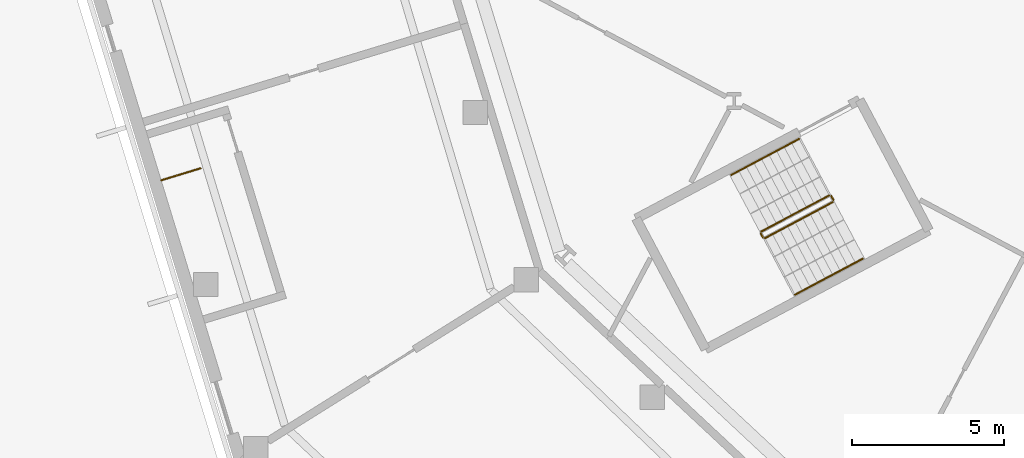
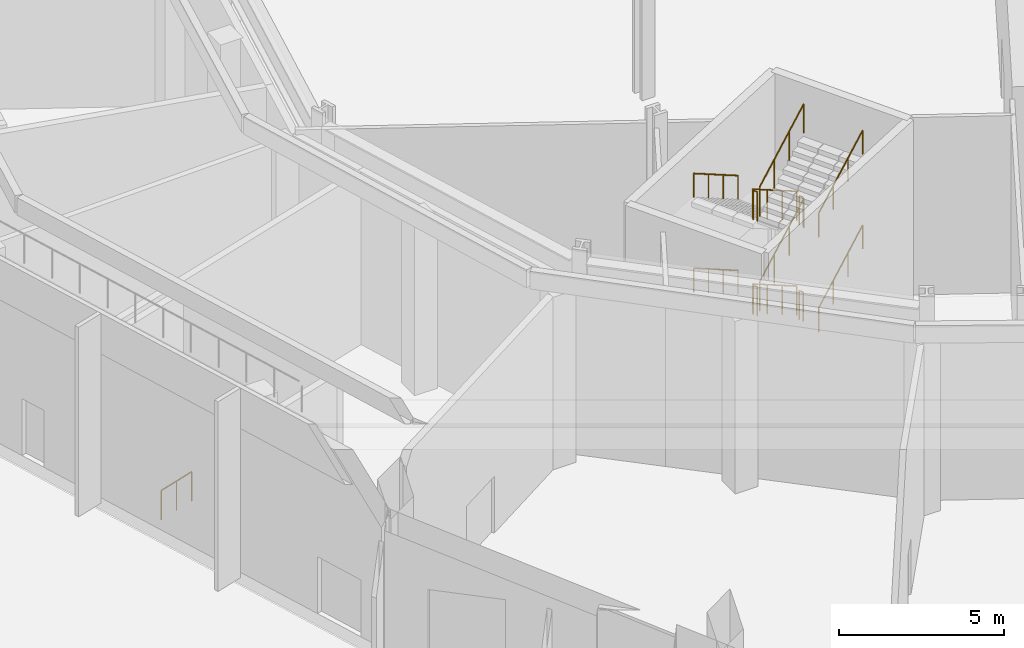
# One storey, part 42 of 57: 13 railings.
"""IFC4 building model written with IfcOpenShell, lengths in metres."""

from ifc_helpers import new_model, si_unit, direction, frame, origin, place, context, subcontext, project, spatial, polyline, outline, extrude, material, type_object, element, save


model = new_model("IFC4")

# Units and contexts
model_context = context("Model", 3, precision=1e-05, world=origin(), true_north=direction((0.0, 1.0)))
body_context = subcontext(model_context, "Body", "Model", "MODEL_VIEW")
ifc_project = project(units=[si_unit("LENGTHUNIT", "METRE"), si_unit("AREAUNIT", "SQUARE_METRE"), si_unit("VOLUMEUNIT", "CUBIC_METRE"), si_unit("PLANEANGLEUNIT", "RADIAN"), si_unit("MASSUNIT", "GRAM", prefix="KILO")], contexts=[model_context])

# Site, building, storey
site_placement = place(None, origin())
site = spatial("IfcSite", under=ifc_project, at=site_placement, CompositionType="ELEMENT")
building_placement = place(site_placement, origin())
building = spatial("IfcBuilding", under=site, at=building_placement, Name="Cormorant Relay Tower", CompositionType="ELEMENT")
storey_placement = place(building_placement, origin())
storey = spatial("IfcBuildingStorey", under=building, at=storey_placement, Name="L00", CompositionType="ELEMENT", Elevation=0.0)

# Railings
ifc_material_1 = material(Name="Steel ASTM A572 Grade 50 (Fy 345 MPa)", Category="steel")
railing_type_1 = type_object("IfcRailingType", Name="Podium stair guard 1100", PredefinedType="GUARDRAIL", material=ifc_material_1)
railing_1_placement = place(storey_placement, frame((-70.482177734375, 12.64892578125, 0.0)))
element("IfcRailing", 1, at=railing_1_placement, inside=storey, type_object=railing_type_1, Name="L00 X4 top well guard 1", PredefinedType="GUARDRAIL", context=body_context, shape_type="SweptSolid", body=[
    extrude(outline(polyline([(0.022216796875, 0.00927734375), (0.00927734375, 0.022216796875), (-0.00927734375, 0.022216796875), (-0.022216796875, 0.00927734375), (-0.022216796875, -0.00927734375), (-0.00927734375, -0.022216796875), (0.00927734375, -0.022216796875), (0.022216796875, -0.00927734375), (0.022216796875, 0.00927734375)])), frame((0.0, 0.0, 1.076171875), z_axis=(0.956289780258, 0.292420683562, 0.0), x_axis=(-0.292420683562, 0.956289780258, 0.0)), (0.0, 0.0, 1.0), 1.35009765625),
    extrude(outline(polyline([(0.019287109375, 0.008056640625), (0.008056640625, 0.019287109375), (-0.008056640625, 0.019287109375), (-0.019287109375, 0.008056640625), (-0.019287109375, -0.008056640625), (-0.008056640625, -0.019287109375), (0.008056640625, -0.019287109375), (0.019287109375, -0.008056640625), (0.019287109375, 0.008056640625)])), origin(), (0.0, 0.0, 1.0), 1.052001953125),
    extrude(outline(polyline([(0.019287109375, 0.008056640625), (0.008056640625, 0.019287109375), (-0.008056640625, 0.019287109375), (-0.019287109375, 0.008056640625), (-0.019287109375, -0.008056640625), (-0.008056640625, -0.019287109375), (0.008056640625, -0.019287109375), (0.019287109375, -0.008056640625), (0.019287109375, 0.008056640625)])), frame((0.6455078125, 0.197265625, 0.0)), (0.0, 0.0, 1.0), 1.052001953125),
    extrude(outline(polyline([(0.019287109375, 0.008056640625), (0.008056640625, 0.019287109375), (-0.008056640625, 0.019287109375), (-0.019287109375, 0.008056640625), (-0.019287109375, -0.008056640625), (-0.008056640625, -0.019287109375), (0.008056640625, -0.019287109375), (0.019287109375, -0.008056640625), (0.019287109375, 0.008056640625)])), frame((1.291015625, 0.394775390625, 0.0)), (0.0, 0.0, 1.0), 1.052001953125),
])
ifc_material_2 = material(Name="Steel ASTM A572 Grade 50 (Fy 345 MPa)", Category="steel")
railing_type_2 = type_object("IfcRailingType", Name="Stair guard 1100", PredefinedType="GUARDRAIL", material=ifc_material_2)
railing_2_placement = place(storey_placement, frame((-48.5693359375, 12.155517578125, 0.175048828125)))
element("IfcRailing", 2, at=railing_2_placement, inside=storey, type_object=railing_type_2, Name="L00 RP1 stair guard 1", PredefinedType="GUARDRAIL", context=body_context, shape_type="SweptSolid", body=[
    extrude(outline(polyline([(0.022216796875, 0.00927734375), (0.00927734375, 0.022216796875), (-0.00927734375, 0.022216796875), (-0.022216796875, 0.00927734375), (-0.022216796875, -0.00927734375), (-0.00927734375, -0.022216796875), (0.00927734375, -0.022216796875), (0.022216796875, -0.00927734375), (0.022216796875, 0.00927734375)])), frame((0.0, 0.0, 1.076171875), z_axis=(-0.74875116571, -0.398118076479, 0.529975177748), x_axis=(0.4694715809, -0.882947583228, 0.0)), (0.0, 0.0, 1.0), 2.9716796875),
    extrude(outline(polyline([(0.019287109375, 0.008056640625), (0.008056640625, 0.019287109375), (-0.008056640625, 0.019287109375), (-0.019287109375, 0.008056640625), (-0.019287109375, -0.008056640625), (-0.008056640625, -0.019287109375), (0.008056640625, -0.019287109375), (0.019287109375, -0.008056640625), (0.019287109375, 0.008056640625)])), origin(), (0.0, 0.0, 1.0), 1.052001953125),
    extrude(outline(polyline([(0.019287109375, 0.008056640625), (0.008056640625, 0.019287109375), (-0.008056640625, 0.019287109375), (-0.019287109375, 0.008056640625), (-0.019287109375, -0.008056640625), (-0.008056640625, -0.019287109375), (0.008056640625, -0.019287109375), (0.019287109375, -0.008056640625), (0.019287109375, 0.008056640625)])), frame((-0.74169921875, -0.394287109375, 0.52490234375)), (0.0, 0.0, 1.0), 1.052001953125),
    extrude(outline(polyline([(0.019287109375, 0.008056640625), (0.008056640625, 0.019287109375), (-0.008056640625, 0.019287109375), (-0.019287109375, 0.008056640625), (-0.019287109375, -0.008056640625), (-0.008056640625, -0.019287109375), (0.008056640625, -0.019287109375), (0.019287109375, -0.008056640625), (0.019287109375, 0.008056640625)])), frame((-1.4833984375, -0.788818359375, 1.050048828125)), (0.0, 0.0, 1.0), 1.052001953125),
    extrude(outline(polyline([(0.019287109375, 0.008056640625), (0.008056640625, 0.019287109375), (-0.008056640625, 0.019287109375), (-0.019287109375, 0.008056640625), (-0.019287109375, -0.008056640625), (-0.008056640625, -0.019287109375), (0.008056640625, -0.019287109375), (0.019287109375, -0.008056640625), (0.019287109375, 0.008056640625)])), frame((-2.22509765625, -1.18310546875, 1.574951171875)), (0.0, 0.0, 1.0), 1.052001953125),
])
railing_3_placement = place(storey_placement, frame((-50.815185546875, 10.90478515625, 1.75)))
element("IfcRailing", 3, at=railing_3_placement, inside=storey, type_object=railing_type_2, Name="L00 RP1 stair guard 2", PredefinedType="GUARDRAIL", context=body_context, shape_type="SweptSolid", body=[
    extrude(outline(polyline([(0.022216796875, 0.00927734375), (0.00927734375, 0.022216796875), (-0.00927734375, 0.022216796875), (-0.022216796875, 0.00927734375), (-0.022216796875, -0.00927734375), (-0.00927734375, -0.022216796875), (0.00927734375, -0.022216796875), (0.022216796875, -0.00927734375), (0.022216796875, 0.00927734375)])), frame((0.0, 0.0, 1.076171875), z_axis=(0.469828648786, -0.882757634224, 0.0), x_axis=(0.882757634224, 0.469828648786, 0.0)), (0.0, 0.0, 1.0), 0.150146484375),
    extrude(outline(polyline([(0.019287109375, 0.008056640625), (0.008056640625, 0.019287109375), (-0.008056640625, 0.019287109375), (-0.019287109375, 0.008056640625), (-0.019287109375, -0.008056640625), (-0.008056640625, -0.019287109375), (0.008056640625, -0.019287109375), (0.019287109375, -0.008056640625), (0.019287109375, 0.008056640625)])), origin(), (0.0, 0.0, 1.0), 1.052001953125),
    extrude(outline(polyline([(0.019287109375, 0.008056640625), (0.008056640625, 0.019287109375), (-0.008056640625, 0.019287109375), (-0.019287109375, 0.008056640625), (-0.019287109375, -0.008056640625), (-0.008056640625, -0.019287109375), (0.008056640625, -0.019287109375), (0.019287109375, -0.008056640625), (0.019287109375, 0.008056640625)])), frame((0.070556640625, -0.132568359375, 0.0)), (0.0, 0.0, 1.0), 1.052001953125),
])
railing_4_placement = place(storey_placement, frame((-50.677001953125, 10.751708984375, 1.925048828125)))
element("IfcRailing", 4, at=railing_4_placement, inside=storey, type_object=railing_type_2, Name="L00 RP1 stair guard 3", PredefinedType="GUARDRAIL", context=body_context, shape_type="SweptSolid", body=[
    extrude(outline(polyline([(0.022216796875, 0.00927734375), (0.00927734375, 0.022216796875), (-0.00927734375, 0.022216796875), (-0.022216796875, 0.00927734375), (-0.022216796875, -0.00927734375), (-0.00927734375, -0.022216796875), (0.00927734375, -0.022216796875), (0.022216796875, -0.00927734375), (0.022216796875, 0.00927734375)])), frame((0.0, 0.0, 1.076171875), z_axis=(0.74877565377, 0.398048940368, 0.529992510695), x_axis=(-0.469396049876, 0.882987739643, 0.0)), (0.0, 0.0, 1.0), 2.9716796875),
    extrude(outline(polyline([(0.019287109375, 0.008056640625), (0.008056640625, 0.019287109375), (-0.008056640625, 0.019287109375), (-0.019287109375, 0.008056640625), (-0.019287109375, -0.008056640625), (-0.008056640625, -0.019287109375), (0.008056640625, -0.019287109375), (0.019287109375, -0.008056640625), (0.019287109375, 0.008056640625)])), origin(), (0.0, 0.0, 1.0), 1.052001953125),
    extrude(outline(polyline([(0.019287109375, 0.008056640625), (0.008056640625, 0.019287109375), (-0.008056640625, 0.019287109375), (-0.019287109375, 0.008056640625), (-0.019287109375, -0.008056640625), (-0.008056640625, -0.019287109375), (0.008056640625, -0.019287109375), (0.019287109375, -0.008056640625), (0.019287109375, 0.008056640625)])), frame((0.74169921875, 0.394287109375, 0.52490234375)), (0.0, 0.0, 1.0), 1.052001953125),
    extrude(outline(polyline([(0.019287109375, 0.008056640625), (0.008056640625, 0.019287109375), (-0.008056640625, 0.019287109375), (-0.019287109375, 0.008056640625), (-0.019287109375, -0.008056640625), (-0.008056640625, -0.019287109375), (0.008056640625, -0.019287109375), (0.019287109375, -0.008056640625), (0.019287109375, 0.008056640625)])), frame((1.4833984375, 0.78857421875, 1.050048828125)), (0.0, 0.0, 1.0), 1.052001953125),
    extrude(outline(polyline([(0.019287109375, 0.008056640625), (0.008056640625, 0.019287109375), (-0.008056640625, 0.019287109375), (-0.019287109375, 0.008056640625), (-0.019287109375, -0.008056640625), (-0.008056640625, -0.019287109375), (0.008056640625, -0.019287109375), (0.019287109375, -0.008056640625), (0.019287109375, 0.008056640625)])), frame((2.22509765625, 1.182861328125, 1.574951171875)), (0.0, 0.0, 1.0), 1.052001953125),
])
railing_5_placement = place(storey_placement, frame((-48.501708984375, 12.134765625, 3.5)))
element("IfcRailing", 5, at=railing_5_placement, inside=storey, type_object=railing_type_2, Name="L00 RP1 stair guard 4", PredefinedType="GUARDRAIL", context=body_context, shape_type="SweptSolid", body=[
    extrude(outline(polyline([(0.022216796875, 0.00927734375), (0.00927734375, 0.022216796875), (-0.00927734375, 0.022216796875), (-0.022216796875, 0.00927734375), (-0.022216796875, -0.00927734375), (-0.00927734375, -0.022216796875), (0.00927734375, -0.022216796875), (0.022216796875, -0.00927734375), (0.022216796875, 0.00927734375)])), frame((0.0, 0.0, 1.076171875), z_axis=(0.46856034887, -0.8834314911, 0.0), x_axis=(0.8834314911, 0.46856034887, 0.0)), (0.0, 0.0, 1.0), 0.150146484375),
    extrude(outline(polyline([(0.019287109375, 0.008056640625), (0.008056640625, 0.019287109375), (-0.008056640625, 0.019287109375), (-0.019287109375, 0.008056640625), (-0.019287109375, -0.008056640625), (-0.008056640625, -0.019287109375), (0.008056640625, -0.019287109375), (0.019287109375, -0.008056640625), (0.019287109375, 0.008056640625)])), origin(), (0.0, 0.0, 1.0), 1.052001953125),
    extrude(outline(polyline([(0.019287109375, 0.008056640625), (0.008056640625, 0.019287109375), (-0.008056640625, 0.019287109375), (-0.019287109375, 0.008056640625), (-0.019287109375, -0.008056640625), (-0.008056640625, -0.019287109375), (0.008056640625, -0.019287109375), (0.019287109375, -0.008056640625), (0.019287109375, 0.008056640625)])), frame((0.0703125, -0.132568359375, 0.0)), (0.0, 0.0, 1.0), 1.052001953125),
])
railing_6_placement = place(storey_placement, frame((-48.5693359375, 12.155517578125, 3.675048828125)))
element("IfcRailing", 6, at=railing_6_placement, inside=storey, type_object=railing_type_2, Name="L00 RP1 stair guard 5", PredefinedType="GUARDRAIL", context=body_context, shape_type="SweptSolid", body=[
    extrude(outline(polyline([(0.022216796875, 0.00927734375), (0.00927734375, 0.022216796875), (-0.00927734375, 0.022216796875), (-0.022216796875, 0.00927734375), (-0.022216796875, -0.00927734375), (-0.00927734375, -0.022216796875), (0.00927734375, -0.022216796875), (0.022216796875, -0.00927734375), (0.022216796875, 0.00927734375)])), frame((0.0, 0.0, 1.076171875), z_axis=(-0.74875116571, -0.398118076479, 0.529975177748), x_axis=(0.4694715809, -0.882947583228, 0.0)), (0.0, 0.0, 1.0), 2.9716796875),
    extrude(outline(polyline([(0.019287109375, 0.008056640625), (0.008056640625, 0.019287109375), (-0.008056640625, 0.019287109375), (-0.019287109375, 0.008056640625), (-0.019287109375, -0.008056640625), (-0.008056640625, -0.019287109375), (0.008056640625, -0.019287109375), (0.019287109375, -0.008056640625), (0.019287109375, 0.008056640625)])), origin(), (0.0, 0.0, 1.0), 1.052001953125),
    extrude(outline(polyline([(0.019287109375, 0.008056640625), (0.008056640625, 0.019287109375), (-0.008056640625, 0.019287109375), (-0.019287109375, 0.008056640625), (-0.019287109375, -0.008056640625), (-0.008056640625, -0.019287109375), (0.008056640625, -0.019287109375), (0.019287109375, -0.008056640625), (0.019287109375, 0.008056640625)])), frame((-0.74169921875, -0.394287109375, 0.52490234375)), (0.0, 0.0, 1.0), 1.052001953125),
    extrude(outline(polyline([(0.019287109375, 0.008056640625), (0.008056640625, 0.019287109375), (-0.008056640625, 0.019287109375), (-0.019287109375, 0.008056640625), (-0.019287109375, -0.008056640625), (-0.008056640625, -0.019287109375), (0.008056640625, -0.019287109375), (0.019287109375, -0.008056640625), (0.019287109375, 0.008056640625)])), frame((-1.4833984375, -0.788818359375, 1.050048828125)), (0.0, 0.0, 1.0), 1.052001953125),
    extrude(outline(polyline([(0.019287109375, 0.008056640625), (0.008056640625, 0.019287109375), (-0.008056640625, 0.019287109375), (-0.019287109375, 0.008056640625), (-0.019287109375, -0.008056640625), (-0.008056640625, -0.019287109375), (0.008056640625, -0.019287109375), (0.019287109375, -0.008056640625), (0.019287109375, 0.008056640625)])), frame((-2.22509765625, -1.18310546875, 1.574951171875)), (0.0, 0.0, 1.0), 1.052001953125),
])
railing_7_placement = place(storey_placement, frame((-50.815185546875, 10.90478515625, 5.25)))
element("IfcRailing", 7, at=railing_7_placement, inside=storey, type_object=railing_type_2, Name="L00 RP1 stair guard 6", PredefinedType="GUARDRAIL", context=body_context, shape_type="SweptSolid", body=[
    extrude(outline(polyline([(0.022216796875, 0.00927734375), (0.00927734375, 0.022216796875), (-0.00927734375, 0.022216796875), (-0.022216796875, 0.00927734375), (-0.022216796875, -0.00927734375), (-0.00927734375, -0.022216796875), (0.00927734375, -0.022216796875), (0.022216796875, -0.00927734375), (0.022216796875, 0.00927734375)])), frame((0.0, 0.0, 1.076171875), z_axis=(0.469828648786, -0.882757634224, 0.0), x_axis=(0.882757634224, 0.469828648786, 0.0)), (0.0, 0.0, 1.0), 0.150146484375),
    extrude(outline(polyline([(0.019287109375, 0.008056640625), (0.008056640625, 0.019287109375), (-0.008056640625, 0.019287109375), (-0.019287109375, 0.008056640625), (-0.019287109375, -0.008056640625), (-0.008056640625, -0.019287109375), (0.008056640625, -0.019287109375), (0.019287109375, -0.008056640625), (0.019287109375, 0.008056640625)])), origin(), (0.0, 0.0, 1.0), 1.052001953125),
    extrude(outline(polyline([(0.019287109375, 0.008056640625), (0.008056640625, 0.019287109375), (-0.008056640625, 0.019287109375), (-0.019287109375, 0.008056640625), (-0.019287109375, -0.008056640625), (-0.008056640625, -0.019287109375), (0.008056640625, -0.019287109375), (0.019287109375, -0.008056640625), (0.019287109375, 0.008056640625)])), frame((0.070556640625, -0.132568359375, 0.0)), (0.0, 0.0, 1.0), 1.052001953125),
])
railing_8_placement = place(storey_placement, frame((-50.677001953125, 10.751708984375, 5.425048828125)))
element("IfcRailing", 8, at=railing_8_placement, inside=storey, type_object=railing_type_2, Name="L00 RP1 stair guard 7", PredefinedType="GUARDRAIL", context=body_context, shape_type="SweptSolid", body=[
    extrude(outline(polyline([(0.022216796875, 0.00927734375), (0.00927734375, 0.022216796875), (-0.00927734375, 0.022216796875), (-0.022216796875, 0.00927734375), (-0.022216796875, -0.00927734375), (-0.00927734375, -0.022216796875), (0.00927734375, -0.022216796875), (0.022216796875, -0.00927734375), (0.022216796875, 0.00927734375)])), frame((0.0, 0.0, 1.076171875), z_axis=(0.74877565377, 0.398048940368, 0.529992510695), x_axis=(-0.469396049876, 0.882987739643, 0.0)), (0.0, 0.0, 1.0), 2.9716796875),
    extrude(outline(polyline([(0.019287109375, 0.008056640625), (0.008056640625, 0.019287109375), (-0.008056640625, 0.019287109375), (-0.019287109375, 0.008056640625), (-0.019287109375, -0.008056640625), (-0.008056640625, -0.019287109375), (0.008056640625, -0.019287109375), (0.019287109375, -0.008056640625), (0.019287109375, 0.008056640625)])), origin(), (0.0, 0.0, 1.0), 1.052001953125),
    extrude(outline(polyline([(0.019287109375, 0.008056640625), (0.008056640625, 0.019287109375), (-0.008056640625, 0.019287109375), (-0.019287109375, 0.008056640625), (-0.019287109375, -0.008056640625), (-0.008056640625, -0.019287109375), (0.008056640625, -0.019287109375), (0.019287109375, -0.008056640625), (0.019287109375, 0.008056640625)])), frame((0.74169921875, 0.394287109375, 0.52490234375)), (0.0, 0.0, 1.0), 1.052001953125),
    extrude(outline(polyline([(0.019287109375, 0.008056640625), (0.008056640625, 0.019287109375), (-0.008056640625, 0.019287109375), (-0.019287109375, 0.008056640625), (-0.019287109375, -0.008056640625), (-0.008056640625, -0.019287109375), (0.008056640625, -0.019287109375), (0.019287109375, -0.008056640625), (0.019287109375, 0.008056640625)])), frame((1.4833984375, 0.78857421875, 1.050048828125)), (0.0, 0.0, 1.0), 1.052001953125),
    extrude(outline(polyline([(0.019287109375, 0.008056640625), (0.008056640625, 0.019287109375), (-0.008056640625, 0.019287109375), (-0.019287109375, 0.008056640625), (-0.019287109375, -0.008056640625), (-0.008056640625, -0.019287109375), (0.008056640625, -0.019287109375), (0.019287109375, -0.008056640625), (0.019287109375, 0.008056640625)])), frame((2.22509765625, 1.182861328125, 1.574951171875)), (0.0, 0.0, 1.0), 1.052001953125),
])
railing_9_placement = place(storey_placement, frame((-48.501708984375, 12.134765625, 0.0)))
element("IfcRailing", 9, at=railing_9_placement, inside=storey, type_object=railing_type_2, Name="L00 RP1 stair guard 8", PredefinedType="GUARDRAIL", context=body_context, shape_type="SweptSolid", body=[
    extrude(outline(polyline([(0.022216796875, 0.00927734375), (0.00927734375, 0.022216796875), (-0.00927734375, 0.022216796875), (-0.022216796875, 0.00927734375), (-0.022216796875, -0.00927734375), (-0.00927734375, -0.022216796875), (0.00927734375, -0.022216796875), (0.022216796875, -0.00927734375), (0.022216796875, 0.00927734375)])), frame((0.0, 0.0, 1.076171875), z_axis=(0.46856034887, -0.8834314911, 0.0), x_axis=(0.8834314911, 0.46856034887, 0.0)), (0.0, 0.0, 1.0), 0.150146484375),
    extrude(outline(polyline([(0.019287109375, 0.008056640625), (0.008056640625, 0.019287109375), (-0.008056640625, 0.019287109375), (-0.019287109375, 0.008056640625), (-0.019287109375, -0.008056640625), (-0.008056640625, -0.019287109375), (0.008056640625, -0.019287109375), (0.019287109375, -0.008056640625), (0.019287109375, 0.008056640625)])), origin(), (0.0, 0.0, 1.0), 1.052001953125),
    extrude(outline(polyline([(0.019287109375, 0.008056640625), (0.008056640625, 0.019287109375), (-0.008056640625, 0.019287109375), (-0.019287109375, 0.008056640625), (-0.019287109375, -0.008056640625), (-0.008056640625, -0.019287109375), (0.008056640625, -0.019287109375), (0.019287109375, -0.008056640625), (0.019287109375, 0.008056640625)])), frame((0.0703125, -0.132568359375, 0.0)), (0.0, 0.0, 1.0), 1.052001953125),
])
ifc_material_3 = material(Name="Steel ASTM A572 Grade 50 (Fy 345 MPa)", Category="steel")
railing_type_3 = type_object("IfcRailingType", Name="Stair handrail 900", PredefinedType="HANDRAIL", material=ifc_material_3)
railing_10_placement = place(storey_placement, frame((-49.55517578125, 14.009521484375, 0.175048828125)))
element("IfcRailing", 10, at=railing_10_placement, inside=storey, type_object=railing_type_3, Name="L00 RP1 stair handrail 1", PredefinedType="HANDRAIL", context=body_context, shape_type="SweptSolid", body=[
    extrude(outline(polyline([(0.022216796875, 0.00927734375), (0.00927734375, 0.022216796875), (-0.00927734375, 0.022216796875), (-0.022216796875, 0.00927734375), (-0.022216796875, -0.00927734375), (-0.00927734375, -0.022216796875), (0.00927734375, -0.022216796875), (0.022216796875, -0.00927734375), (0.022216796875, 0.00927734375)])), frame((0.0, 0.0, 0.8759765625), z_axis=(-0.74877565377, -0.398048940368, 0.529992510695), x_axis=(0.469396049876, -0.882987739643, 0.0)), (0.0, 0.0, 1.0), 2.9716796875),
    extrude(outline(polyline([(0.019287109375, 0.008056640625), (0.008056640625, 0.019287109375), (-0.008056640625, 0.019287109375), (-0.019287109375, 0.008056640625), (-0.019287109375, -0.008056640625), (-0.008056640625, -0.019287109375), (0.008056640625, -0.019287109375), (0.019287109375, -0.008056640625), (0.019287109375, 0.008056640625)])), origin(), (0.0, 0.0, 1.0), 0.851806640625),
    extrude(outline(polyline([(0.019287109375, 0.008056640625), (0.008056640625, 0.019287109375), (-0.008056640625, 0.019287109375), (-0.019287109375, 0.008056640625), (-0.019287109375, -0.008056640625), (-0.008056640625, -0.019287109375), (0.008056640625, -0.019287109375), (0.019287109375, -0.008056640625), (0.019287109375, 0.008056640625)])), frame((-0.74169921875, -0.394287109375, 0.52490234375)), (0.0, 0.0, 1.0), 0.851806640625),
    extrude(outline(polyline([(0.019287109375, 0.008056640625), (0.008056640625, 0.019287109375), (-0.008056640625, 0.019287109375), (-0.019287109375, 0.008056640625), (-0.019287109375, -0.008056640625), (-0.008056640625, -0.019287109375), (0.008056640625, -0.019287109375), (0.019287109375, -0.008056640625), (0.019287109375, 0.008056640625)])), frame((-1.4833984375, -0.78857421875, 1.050048828125)), (0.0, 0.0, 1.0), 0.851806640625),
    extrude(outline(polyline([(0.019287109375, 0.008056640625), (0.008056640625, 0.019287109375), (-0.008056640625, 0.019287109375), (-0.019287109375, 0.008056640625), (-0.019287109375, -0.008056640625), (-0.008056640625, -0.019287109375), (0.008056640625, -0.019287109375), (0.019287109375, -0.008056640625), (0.019287109375, 0.008056640625)])), frame((-2.22509765625, -1.182861328125, 1.574951171875)), (0.0, 0.0, 1.0), 0.851806640625),
])
railing_11_placement = place(storey_placement, frame((-49.691162109375, 8.8974609375, 1.925048828125)))
element("IfcRailing", 11, at=railing_11_placement, inside=storey, type_object=railing_type_3, Name="L00 RP1 stair handrail 2", PredefinedType="HANDRAIL", context=body_context, shape_type="SweptSolid", body=[
    extrude(outline(polyline([(0.022216796875, 0.00927734375), (0.00927734375, 0.022216796875), (-0.00927734375, 0.022216796875), (-0.022216796875, 0.00927734375), (-0.022216796875, -0.00927734375), (-0.00927734375, -0.022216796875), (0.00927734375, -0.022216796875), (0.022216796875, -0.00927734375), (0.022216796875, 0.00927734375)])), frame((0.0, 0.0, 0.8759765625), z_axis=(0.74875116571, 0.398118076479, 0.529975177748), x_axis=(-0.4694715809, 0.882947583228, 0.0)), (0.0, 0.0, 1.0), 2.9716796875),
    extrude(outline(polyline([(0.019287109375, 0.008056640625), (0.008056640625, 0.019287109375), (-0.008056640625, 0.019287109375), (-0.019287109375, 0.008056640625), (-0.019287109375, -0.008056640625), (-0.008056640625, -0.019287109375), (0.008056640625, -0.019287109375), (0.019287109375, -0.008056640625), (0.019287109375, 0.008056640625)])), origin(), (0.0, 0.0, 1.0), 0.851806640625),
    extrude(outline(polyline([(0.019287109375, 0.008056640625), (0.008056640625, 0.019287109375), (-0.008056640625, 0.019287109375), (-0.019287109375, 0.008056640625), (-0.019287109375, -0.008056640625), (-0.008056640625, -0.019287109375), (0.008056640625, -0.019287109375), (0.019287109375, -0.008056640625), (0.019287109375, 0.008056640625)])), frame((0.74169921875, 0.394287109375, 0.52490234375)), (0.0, 0.0, 1.0), 0.851806640625),
    extrude(outline(polyline([(0.019287109375, 0.008056640625), (0.008056640625, 0.019287109375), (-0.008056640625, 0.019287109375), (-0.019287109375, 0.008056640625), (-0.019287109375, -0.008056640625), (-0.008056640625, -0.019287109375), (0.008056640625, -0.019287109375), (0.019287109375, -0.008056640625), (0.019287109375, 0.008056640625)])), frame((1.4833984375, 0.788818359375, 1.050048828125)), (0.0, 0.0, 1.0), 0.851806640625),
    extrude(outline(polyline([(0.019287109375, 0.008056640625), (0.008056640625, 0.019287109375), (-0.008056640625, 0.019287109375), (-0.019287109375, 0.008056640625), (-0.019287109375, -0.008056640625), (-0.008056640625, -0.019287109375), (0.008056640625, -0.019287109375), (0.019287109375, -0.008056640625), (0.019287109375, 0.008056640625)])), frame((2.22509765625, 1.18310546875, 1.574951171875)), (0.0, 0.0, 1.0), 0.851806640625),
])
railing_12_placement = place(storey_placement, frame((-49.55517578125, 14.009521484375, 3.675048828125)))
element("IfcRailing", 12, at=railing_12_placement, inside=storey, type_object=railing_type_3, Name="L00 RP1 stair handrail 3", PredefinedType="HANDRAIL", context=body_context, shape_type="SweptSolid", body=[
    extrude(outline(polyline([(0.022216796875, 0.00927734375), (0.00927734375, 0.022216796875), (-0.00927734375, 0.022216796875), (-0.022216796875, 0.00927734375), (-0.022216796875, -0.00927734375), (-0.00927734375, -0.022216796875), (0.00927734375, -0.022216796875), (0.022216796875, -0.00927734375), (0.022216796875, 0.00927734375)])), frame((0.0, 0.0, 0.8759765625), z_axis=(-0.74877565377, -0.398048940368, 0.529992510695), x_axis=(0.469396049876, -0.882987739643, 0.0)), (0.0, 0.0, 1.0), 2.9716796875),
    extrude(outline(polyline([(0.019287109375, 0.008056640625), (0.008056640625, 0.019287109375), (-0.008056640625, 0.019287109375), (-0.019287109375, 0.008056640625), (-0.019287109375, -0.008056640625), (-0.008056640625, -0.019287109375), (0.008056640625, -0.019287109375), (0.019287109375, -0.008056640625), (0.019287109375, 0.008056640625)])), origin(), (0.0, 0.0, 1.0), 0.851806640625),
    extrude(outline(polyline([(0.019287109375, 0.008056640625), (0.008056640625, 0.019287109375), (-0.008056640625, 0.019287109375), (-0.019287109375, 0.008056640625), (-0.019287109375, -0.008056640625), (-0.008056640625, -0.019287109375), (0.008056640625, -0.019287109375), (0.019287109375, -0.008056640625), (0.019287109375, 0.008056640625)])), frame((-0.74169921875, -0.394287109375, 0.52490234375)), (0.0, 0.0, 1.0), 0.851806640625),
    extrude(outline(polyline([(0.019287109375, 0.008056640625), (0.008056640625, 0.019287109375), (-0.008056640625, 0.019287109375), (-0.019287109375, 0.008056640625), (-0.019287109375, -0.008056640625), (-0.008056640625, -0.019287109375), (0.008056640625, -0.019287109375), (0.019287109375, -0.008056640625), (0.019287109375, 0.008056640625)])), frame((-1.4833984375, -0.78857421875, 1.050048828125)), (0.0, 0.0, 1.0), 0.851806640625),
    extrude(outline(polyline([(0.019287109375, 0.008056640625), (0.008056640625, 0.019287109375), (-0.008056640625, 0.019287109375), (-0.019287109375, 0.008056640625), (-0.019287109375, -0.008056640625), (-0.008056640625, -0.019287109375), (0.008056640625, -0.019287109375), (0.019287109375, -0.008056640625), (0.019287109375, 0.008056640625)])), frame((-2.22509765625, -1.182861328125, 1.574951171875)), (0.0, 0.0, 1.0), 0.851806640625),
])
railing_13_placement = place(storey_placement, frame((-49.691162109375, 8.8974609375, 5.425048828125)))
element("IfcRailing", 13, at=railing_13_placement, inside=storey, type_object=railing_type_3, Name="L00 RP1 stair handrail 4", PredefinedType="HANDRAIL", context=body_context, shape_type="SweptSolid", body=[
    extrude(outline(polyline([(0.022216796875, 0.00927734375), (0.00927734375, 0.022216796875), (-0.00927734375, 0.022216796875), (-0.022216796875, 0.00927734375), (-0.022216796875, -0.00927734375), (-0.00927734375, -0.022216796875), (0.00927734375, -0.022216796875), (0.022216796875, -0.00927734375), (0.022216796875, 0.00927734375)])), frame((0.0, 0.0, 0.8759765625), z_axis=(0.74875116571, 0.398118076479, 0.529975177748), x_axis=(-0.4694715809, 0.882947583228, 0.0)), (0.0, 0.0, 1.0), 2.9716796875),
    extrude(outline(polyline([(0.019287109375, 0.008056640625), (0.008056640625, 0.019287109375), (-0.008056640625, 0.019287109375), (-0.019287109375, 0.008056640625), (-0.019287109375, -0.008056640625), (-0.008056640625, -0.019287109375), (0.008056640625, -0.019287109375), (0.019287109375, -0.008056640625), (0.019287109375, 0.008056640625)])), origin(), (0.0, 0.0, 1.0), 0.851806640625),
    extrude(outline(polyline([(0.019287109375, 0.008056640625), (0.008056640625, 0.019287109375), (-0.008056640625, 0.019287109375), (-0.019287109375, 0.008056640625), (-0.019287109375, -0.008056640625), (-0.008056640625, -0.019287109375), (0.008056640625, -0.019287109375), (0.019287109375, -0.008056640625), (0.019287109375, 0.008056640625)])), frame((0.74169921875, 0.394287109375, 0.52490234375)), (0.0, 0.0, 1.0), 0.851806640625),
    extrude(outline(polyline([(0.019287109375, 0.008056640625), (0.008056640625, 0.019287109375), (-0.008056640625, 0.019287109375), (-0.019287109375, 0.008056640625), (-0.019287109375, -0.008056640625), (-0.008056640625, -0.019287109375), (0.008056640625, -0.019287109375), (0.019287109375, -0.008056640625), (0.019287109375, 0.008056640625)])), frame((1.4833984375, 0.788818359375, 1.050048828125)), (0.0, 0.0, 1.0), 0.851806640625),
    extrude(outline(polyline([(0.019287109375, 0.008056640625), (0.008056640625, 0.019287109375), (-0.008056640625, 0.019287109375), (-0.019287109375, 0.008056640625), (-0.019287109375, -0.008056640625), (-0.008056640625, -0.019287109375), (0.008056640625, -0.019287109375), (0.019287109375, -0.008056640625), (0.019287109375, 0.008056640625)])), frame((2.22509765625, 1.18310546875, 1.574951171875)), (0.0, 0.0, 1.0), 0.851806640625),
])

save(model, "model.ifc")
